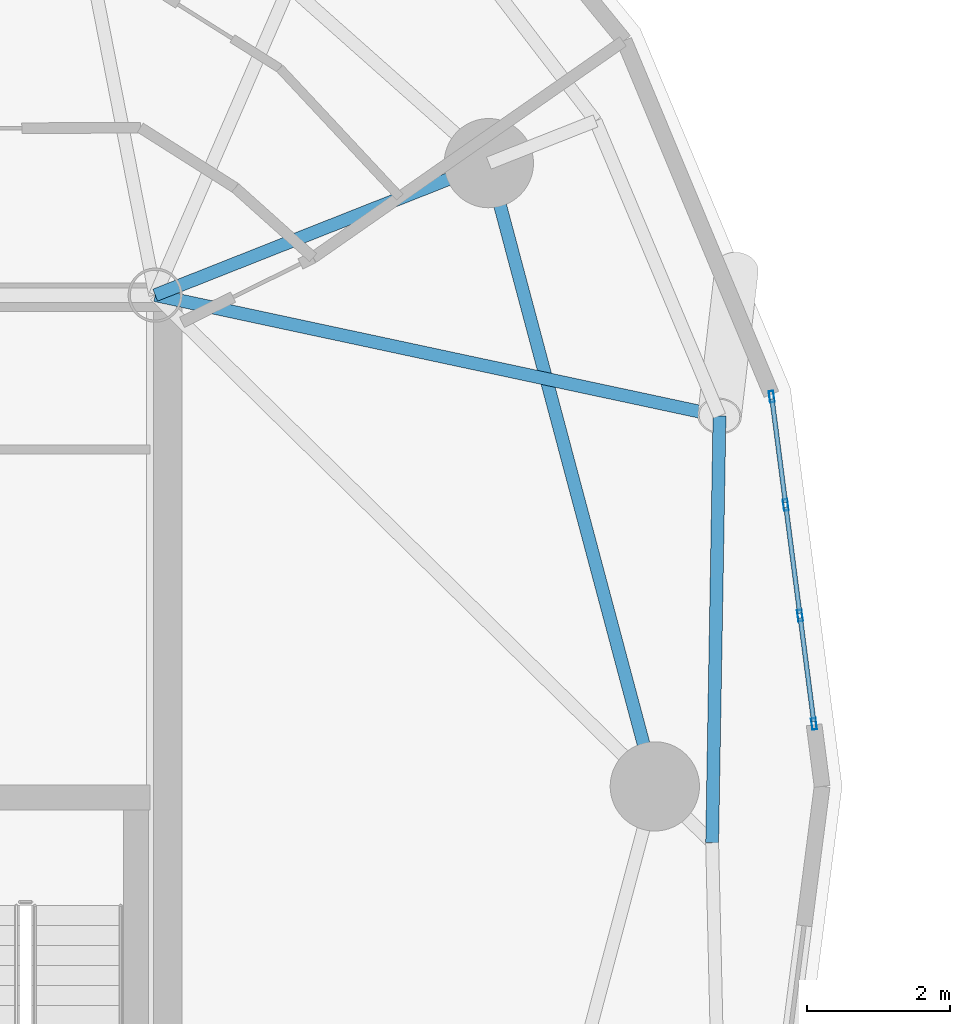
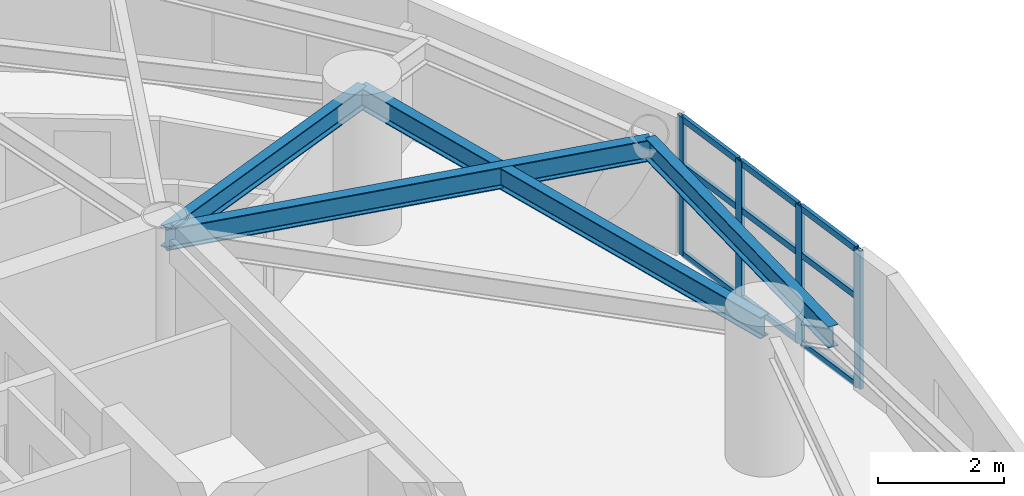
# One storey, part 3 of 17: 13 members, 4 beams, 1 element without a shape of its own.
"""IFC4 building model written with IfcOpenShell, lengths in metres."""

from ifc_helpers import new_model, si_unit, direction, frame, origin, origin_2d, place, context, subcontext, project, spatial, hollow_rectangle, i_section, extrude, material, layer, layer_set, material_profile, profile_set, type_object, element, aggregate, save


model = new_model("IFC4")

# Units and contexts
model_context = context("Model", 3, precision=1e-05, world=origin(), true_north=direction((0.0, 1.0)))
body_context = subcontext(model_context, "Body", "Model", "MODEL_VIEW")
ifc_project = project(units=[si_unit("LENGTHUNIT", "METRE"), si_unit("AREAUNIT", "SQUARE_METRE"), si_unit("VOLUMEUNIT", "CUBIC_METRE"), si_unit("PLANEANGLEUNIT", "RADIAN"), si_unit("MASSUNIT", "GRAM", prefix="KILO")], contexts=[model_context])

# Site, building, storey
site_placement = place(None, origin())
site = spatial("IfcSite", under=ifc_project, at=site_placement, CompositionType="ELEMENT")
building_placement = place(site_placement, origin())
building = spatial("IfcBuilding", under=site, at=building_placement, Name="Cununo Teusaquillo Station Towers", CompositionType="ELEMENT")
storey_placement = place(building_placement, frame((0.0, 0.0, 166.14990234375)))
storey = spatial("IfcBuildingStorey", under=building, at=storey_placement, Name="L52", CompositionType="ELEMENT", Elevation=166.14990234375)

# Beams
ifc_material_1 = material(Name="Steel ASTM A572 Grade 50", Category="steel")
ifc_material_profile_1 = material_profile(ifc_material_1, i_section(OverallWidth=0.180908203125, OverallDepth=0.4169921875, WebThickness=0.010986328125, FlangeThickness=0.018310546875, FilletRadius=0.012939453125, at=origin_2d()), Name="W16X57")
ifc_profile_set_1 = profile_set([ifc_material_profile_1], Name="Steel ASTM A572 Grade 50")
beam_type_1 = type_object("IfcBeamType", Name="BM-JOIST-1", PredefinedType="JOIST", material=ifc_profile_set_1)
beam_1_placement = place(storey_placement, frame((21.675048828125, 31.3798828125, 2.481689453125), z_axis=(0.977854548984, -0.209285644589, 0.0), x_axis=(0.209285644589, 0.977854548984, 0.0)))
element("IfcBeam", 1, at=beam_1_placement, inside=storey, type_object=beam_type_1, Name="L52 Tower A Radial Spandrel Joist V01", PredefinedType="JOIST", context=body_context, shape_type="SweptSolid", body=[
    extrude(i_section(OverallWidth=0.180908203125, OverallDepth=0.4169921875, WebThickness=0.010986328125, FlangeThickness=0.018310546875, FilletRadius=0.012939453125, at=origin_2d()), origin(), (0.0, 0.0, 1.0), 8.081787109375),
])
ifc_material_2 = material(Name="Steel ASTM A572 Grade 50", Category="steel")
ifc_material_profile_2 = material_profile(ifc_material_2, i_section(OverallWidth=0.180908203125, OverallDepth=0.4169921875, WebThickness=0.010986328125, FlangeThickness=0.018310546875, FilletRadius=0.012939453125, at=origin_2d()), Name="W16X57")
ifc_profile_set_2 = profile_set([ifc_material_profile_2], Name="Steel ASTM A572 Grade 50")
beam_type_2 = type_object("IfcBeamType", Name="BM-RAD-G2", PredefinedType="BEAM", material=ifc_profile_set_2)
beam_2_placement = place(storey_placement, frame((21.675048828125, 31.3798828125, 2.481689453125), z_axis=(0.929864104313, 0.367903176814, 0.0), x_axis=(-0.367903176814, 0.929864104313, 0.0)))
element("IfcBeam", 2, at=beam_2_placement, inside=storey, type_object=beam_type_2, Name="L52 Tower A Radial Girder 02A", PredefinedType="BEAM", context=body_context, shape_type="SweptSolid", body=[
    extrude(i_section(OverallWidth=0.180908203125, OverallDepth=0.4169921875, WebThickness=0.010986328125, FlangeThickness=0.018310546875, FilletRadius=0.012939453125, at=origin_2d()), origin(), (0.0, 0.0, 1.0), 5.02490234375),
])
ifc_material_3 = material(Name="Steel ASTM A572 Grade 50", Category="steel")
ifc_material_profile_3 = material_profile(ifc_material_3, i_section(OverallWidth=0.180908203125, OverallDepth=0.4169921875, WebThickness=0.010986328125, FlangeThickness=0.018310546875, FilletRadius=0.012939453125, at=origin_2d()), Name="W16X57")
ifc_profile_set_3 = profile_set([ifc_material_profile_3], Name="Steel ASTM A572 Grade 50")
beam_type_3 = type_object("IfcBeamType", Name="BM-RING-Z3", PredefinedType="SPANDREL", material=ifc_profile_set_3)
beam_3_placement = place(storey_placement, frame((28.672119140625, 24.5, 2.481689453125), z_axis=(-0.257363196347, 0.966314744359, 0.0), x_axis=(-0.966314744359, -0.257363196347, 0.0)))
element("IfcBeam", 3, at=beam_3_placement, inside=storey, type_object=beam_type_3, Name="L52 Tower A Structural Column Ring Girder 01", PredefinedType="SPANDREL", context=body_context, shape_type="SweptSolid", body=[
    extrude(i_section(OverallWidth=0.180908203125, OverallDepth=0.4169921875, WebThickness=0.010986328125, FlangeThickness=0.018310546875, FilletRadius=0.012939453125, at=origin_2d()), origin(), (0.0, 0.0, 1.0), 9.03271484375),
])
beam_4_placement = place(storey_placement, frame((29.474853515625, 23.710693359375, 2.481689453125), z_axis=(0.017232482627, 0.999851509747, 0.0), x_axis=(-0.999851509747, 0.017232482627, 0.0)))
element("IfcBeam", 4, at=beam_4_placement, inside=storey, type_object=beam_type_3, Name="L52 Tower A Spandrel Ring Beam 01", PredefinedType="SPANDREL", context=body_context, shape_type="SweptSolid", body=[
    extrude(i_section(OverallWidth=0.180908203125, OverallDepth=0.4169921875, WebThickness=0.010986328125, FlangeThickness=0.018310546875, FilletRadius=0.012939453125, at=origin_2d()), origin(), (0.0, 0.0, 1.0), 5.978759765625),
])

# Curtain wall, members
ifc_material_4 = material(Name="Operable acoustic tinted low-E double glazing", Category="glass")
ifc_layer = layer(ifc_material_4, 0.179931640625)
ifc_layer_set = layer_set([ifc_layer], Name="Operable acoustic tinted low-E double glazing")
curtain_wall_type = type_object("IfcCurtainWallType", Name="CW-SYS-06", PredefinedType="USERDEFINED", material=ifc_layer_set)
curtain_wall_placement = place(storey_placement, origin())
curtain_wall = element("IfcCurtainWall", 5, at=curtain_wall_placement, inside=storey, type_object=curtain_wall_type, Name="L52 Tower A Facade Curtain Wall C00", ObjectType="OPERABLE GLAZING", PredefinedType="USERDEFINED")
ifc_material_5 = material(Name="Anodised dark bronze aluminium EN AW-6063-T6", Category="aluminium")
ifc_material_profile_4 = material_profile(ifc_material_5, hollow_rectangle(XDim=0.06494140625, YDim=0.159912109375, WallThickness=0.00390625, at=origin_2d()), Name="CW-MULL-65x160")
ifc_profile_set_4 = profile_set([ifc_material_profile_4], Name="Anodised dark bronze aluminium EN AW-6063-T6")
member_type_1 = type_object("IfcMemberType", Name="CWM-160", PredefinedType="MULLION", material=ifc_profile_set_4)
member_1_placement = place(storey_placement, frame((30.308837890625, 29.958984375, 0.0), z_axis=(0.0, 0.0, 1.0), x_axis=(0.991736321922, 0.128292898403, 0.0)))
member_1 = element("IfcMember", 6, at=member_1_placement, type_object=member_type_1, Name="CW-06 mullion 1", PredefinedType="MULLION", context=body_context, shape_type="SweptSolid", body=[
    extrude(hollow_rectangle(XDim=0.06494140625, YDim=0.159912109375, WallThickness=0.00390625, at=origin_2d()), origin(), (0.0, 0.0, 1.0), 2.675048828125),
])
member_2_placement = place(storey_placement, frame((30.505126953125, 28.44189453125, 0.0), z_axis=(0.0, 0.0, 1.0), x_axis=(0.991736321922, 0.128292898403, 0.0)))
member_2 = element("IfcMember", 7, at=member_2_placement, type_object=member_type_1, Name="CW-06 mullion 2", PredefinedType="MULLION", context=body_context, shape_type="SweptSolid", body=[
    extrude(hollow_rectangle(XDim=0.06494140625, YDim=0.159912109375, WallThickness=0.00390625, at=origin_2d()), origin(), (0.0, 0.0, 1.0), 2.675048828125),
])
member_3_placement = place(storey_placement, frame((30.70556640625, 26.892333984375, 0.0), z_axis=(0.0, 0.0, 1.0), x_axis=(0.991736321922, 0.128292898403, 0.0)))
member_3 = element("IfcMember", 8, at=member_3_placement, type_object=member_type_1, Name="CW-06 mullion 3", PredefinedType="MULLION", context=body_context, shape_type="SweptSolid", body=[
    extrude(hollow_rectangle(XDim=0.06494140625, YDim=0.159912109375, WallThickness=0.00390625, at=origin_2d()), origin(), (0.0, 0.0, 1.0), 2.675048828125),
])
member_4_placement = place(storey_placement, frame((30.901611328125, 25.375244140625, 0.0), z_axis=(0.0, 0.0, 1.0), x_axis=(0.991736321922, 0.128292898403, 0.0)))
member_4 = element("IfcMember", 9, at=member_4_placement, type_object=member_type_1, Name="CW-06 mullion 4", PredefinedType="MULLION", context=body_context, shape_type="SweptSolid", body=[
    extrude(hollow_rectangle(XDim=0.06494140625, YDim=0.159912109375, WallThickness=0.00390625, at=origin_2d()), origin(), (0.0, 0.0, 1.0), 2.675048828125),
])
ifc_material_6 = material(Name="Anodised dark bronze aluminium EN AW-6063-T6", Category="aluminium")
ifc_material_profile_5 = material_profile(ifc_material_6, hollow_rectangle(XDim=0.06494140625, YDim=0.1201171875, WallThickness=0.00390625, at=origin_2d()), Name="CW-TRAN-65x120")
ifc_profile_set_5 = profile_set([ifc_material_profile_5], Name="Anodised dark bronze aluminium EN AW-6063-T6")
member_type_2 = type_object("IfcMemberType", Name="CWT-120", PredefinedType="USERDEFINED", material=ifc_profile_set_5)
member_5_placement = place(storey_placement, frame((30.31298828125, 29.9267578125, 0.03271484375), z_axis=(0.128341533193, -0.99173002922, 0.0), x_axis=(0.99173002922, 0.128341533193, 0.0)))
member_5 = element("IfcMember", 10, at=member_5_placement, type_object=member_type_2, Name="CW-06 transom 1.1", ObjectType="TRANSOM", PredefinedType="USERDEFINED", context=body_context, shape_type="SweptSolid", body=[
    extrude(hollow_rectangle(XDim=0.06494140625, YDim=0.1201171875, WallThickness=0.00390625, at=origin_2d()), origin(), (0.0, 0.0, 1.0), 1.46484375),
])
member_6_placement = place(storey_placement, frame((30.31298828125, 29.9267578125, 1.739013671875), z_axis=(0.128341533193, -0.99173002922, 0.0), x_axis=(0.99173002922, 0.128341533193, 0.0)))
member_6 = element("IfcMember", 11, at=member_6_placement, type_object=member_type_2, Name="CW-06 transom 1.2", ObjectType="TRANSOM", PredefinedType="USERDEFINED", context=body_context, shape_type="SweptSolid", body=[
    extrude(hollow_rectangle(XDim=0.06494140625, YDim=0.1201171875, WallThickness=0.00390625, at=origin_2d()), origin(), (0.0, 0.0, 1.0), 1.46484375),
])
member_7_placement = place(storey_placement, frame((30.31298828125, 29.9267578125, 2.642578125), z_axis=(0.128341533193, -0.99173002922, 0.0), x_axis=(0.99173002922, 0.128341533193, 0.0)))
member_7 = element("IfcMember", 12, at=member_7_placement, type_object=member_type_2, Name="CW-06 transom 1.3", ObjectType="TRANSOM", PredefinedType="USERDEFINED", context=body_context, shape_type="SweptSolid", body=[
    extrude(hollow_rectangle(XDim=0.06494140625, YDim=0.1201171875, WallThickness=0.00390625, at=origin_2d()), origin(), (0.0, 0.0, 1.0), 1.46484375),
])
member_8_placement = place(storey_placement, frame((30.50927734375, 28.40966796875, 0.03271484375), z_axis=(0.128307576997, -0.991734422961, 0.0), x_axis=(0.991734422961, 0.128307576997, 0.0)))
member_8 = element("IfcMember", 13, at=member_8_placement, type_object=member_type_2, Name="CW-06 transom 2.1", ObjectType="TRANSOM", PredefinedType="USERDEFINED", context=body_context, shape_type="SweptSolid", body=[
    extrude(hollow_rectangle(XDim=0.06494140625, YDim=0.1201171875, WallThickness=0.00390625, at=origin_2d()), origin(), (0.0, 0.0, 1.0), 1.49755859375),
])
member_9_placement = place(storey_placement, frame((30.50927734375, 28.40966796875, 1.739013671875), z_axis=(0.128307576997, -0.991734422961, 0.0), x_axis=(0.991734422961, 0.128307576997, 0.0)))
member_9 = element("IfcMember", 14, at=member_9_placement, type_object=member_type_2, Name="CW-06 transom 2.2", ObjectType="TRANSOM", PredefinedType="USERDEFINED", context=body_context, shape_type="SweptSolid", body=[
    extrude(hollow_rectangle(XDim=0.06494140625, YDim=0.1201171875, WallThickness=0.00390625, at=origin_2d()), origin(), (0.0, 0.0, 1.0), 1.49755859375),
])
member_10_placement = place(storey_placement, frame((30.50927734375, 28.40966796875, 2.642578125), z_axis=(0.128307576997, -0.991734422961, 0.0), x_axis=(0.991734422961, 0.128307576997, 0.0)))
member_10 = element("IfcMember", 15, at=member_10_placement, type_object=member_type_2, Name="CW-06 transom 2.3", ObjectType="TRANSOM", PredefinedType="USERDEFINED", context=body_context, shape_type="SweptSolid", body=[
    extrude(hollow_rectangle(XDim=0.06494140625, YDim=0.1201171875, WallThickness=0.00390625, at=origin_2d()), origin(), (0.0, 0.0, 1.0), 1.49755859375),
])
member_11_placement = place(storey_placement, frame((30.709716796875, 26.860107421875, 0.03271484375), z_axis=(0.128177596053, -0.991751230839, 0.0), x_axis=(0.991751230839, 0.128177596053, 0.0)))
member_11 = element("IfcMember", 16, at=member_11_placement, type_object=member_type_2, Name="CW-06 transom 3.1", ObjectType="TRANSOM", PredefinedType="USERDEFINED", context=body_context, shape_type="SweptSolid", body=[
    extrude(hollow_rectangle(XDim=0.06494140625, YDim=0.1201171875, WallThickness=0.00390625, at=origin_2d()), origin(), (0.0, 0.0, 1.0), 1.464599609375),
])
member_12_placement = place(storey_placement, frame((30.709716796875, 26.860107421875, 1.739013671875), z_axis=(0.128177596053, -0.991751230839, 0.0), x_axis=(0.991751230839, 0.128177596053, 0.0)))
member_12 = element("IfcMember", 17, at=member_12_placement, type_object=member_type_2, Name="CW-06 transom 3.2", ObjectType="TRANSOM", PredefinedType="USERDEFINED", context=body_context, shape_type="SweptSolid", body=[
    extrude(hollow_rectangle(XDim=0.06494140625, YDim=0.1201171875, WallThickness=0.00390625, at=origin_2d()), origin(), (0.0, 0.0, 1.0), 1.464599609375),
])
member_13_placement = place(storey_placement, frame((30.709716796875, 26.860107421875, 2.642578125), z_axis=(0.128177596053, -0.991751230839, 0.0), x_axis=(0.991751230839, 0.128177596053, 0.0)))
member_13 = element("IfcMember", 18, at=member_13_placement, type_object=member_type_2, Name="CW-06 transom 3.3", ObjectType="TRANSOM", PredefinedType="USERDEFINED", context=body_context, shape_type="SweptSolid", body=[
    extrude(hollow_rectangle(XDim=0.06494140625, YDim=0.1201171875, WallThickness=0.00390625, at=origin_2d()), origin(), (0.0, 0.0, 1.0), 1.464599609375),
])
aggregate(curtain_wall, [member_1, member_2, member_3, member_4, member_5, member_6, member_7, member_8, member_9, member_10, member_11, member_12, member_13])

save(model, "model.ifc")
